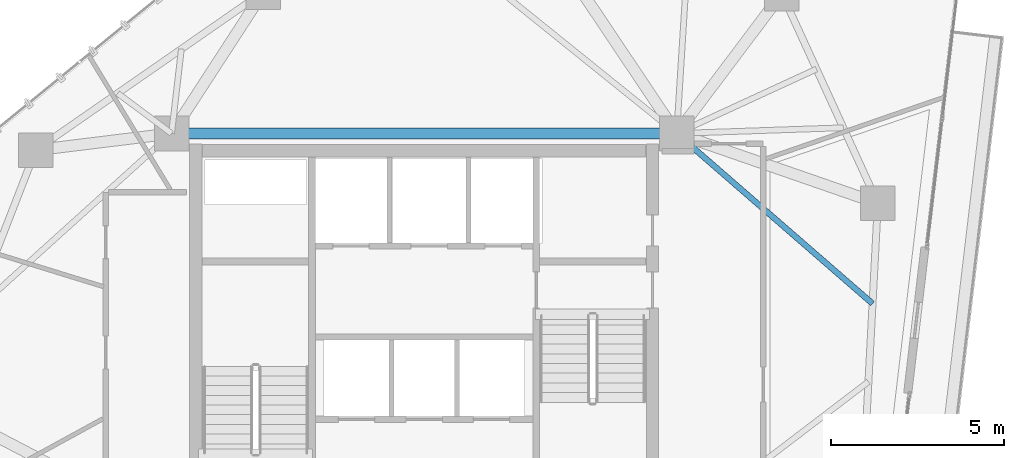
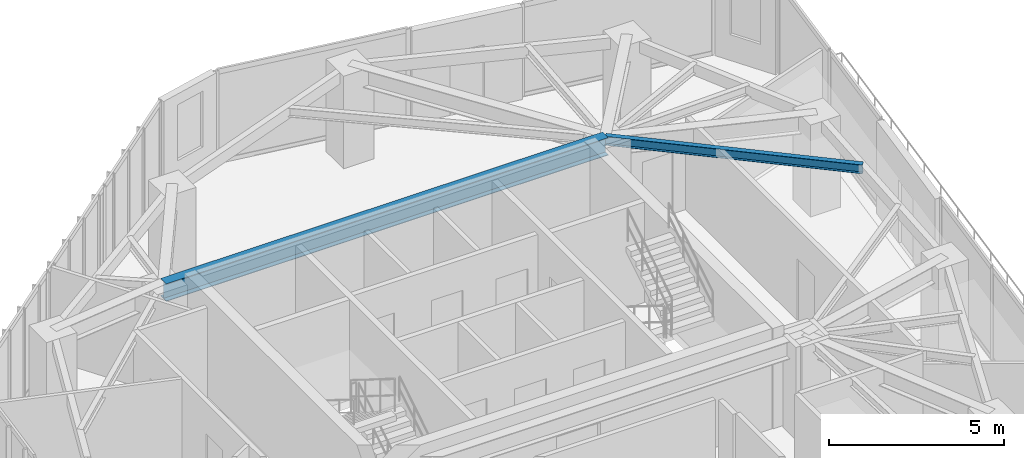
# One storey, part 12 of 22: 2 beams.
"""IFC4 building model written with IfcOpenShell, lengths in metres."""

from ifc_helpers import new_model, si_unit, direction, frame, origin, origin_2d, place, context, subcontext, project, spatial, i_section, extrude, material, material_profile, profile_set, type_object, element, save


model = new_model("IFC4")

# Units and contexts
model_context = context("Model", 3, precision=1e-05, world=origin(), true_north=direction((0.0, 1.0)))
body_context = subcontext(model_context, "Body", "Model", "MODEL_VIEW")
ifc_project = project(units=[si_unit("LENGTHUNIT", "METRE"), si_unit("AREAUNIT", "SQUARE_METRE"), si_unit("VOLUMEUNIT", "CUBIC_METRE"), si_unit("PLANEANGLEUNIT", "RADIAN"), si_unit("MASSUNIT", "GRAM", prefix="KILO")], contexts=[model_context])

# Site, building, storey
site_placement = place(None, origin())
site = spatial("IfcSite", under=ifc_project, at=site_placement, CompositionType="ELEMENT")
building_placement = place(site_placement, origin())
building = spatial("IfcBuilding", under=site, at=building_placement, Name="Talar Marvaseh", CompositionType="ELEMENT")
storey_placement = place(building_placement, frame((0.0, 0.0, 229.199951171875)))
storey = spatial("IfcBuildingStorey", under=building, at=storey_placement, Name="L60", CompositionType="ELEMENT", Elevation=229.199951171875)

# Beams
ifc_material = material(Name="Steel S355", Category="steel")
ifc_material_profile_1 = material_profile(ifc_material, i_section(OverallWidth=0.324951171875, OverallDepth=0.615966796875, WebThickness=0.013916015625, FlangeThickness=0.021484375, at=origin_2d()), Name="W610x174")
ifc_profile_set_1 = profile_set([ifc_material_profile_1], Name="Steel S355")
beam_type_1 = type_object("IfcBeamType", Name="Zone 3 Radial Floor Girder W610x174", PredefinedType="BEAM", material=ifc_profile_set_1)
beam_1_placement = place(storey_placement, frame((18.699951171875, 36.89990234375, 2.922119140625), z_axis=(1.0, 0.0, 0.0), x_axis=(0.0, 1.0, 0.0)))
element("IfcBeam", 1, at=beam_1_placement, inside=storey, type_object=beam_type_1, Name="L60 Zone 3 Radial Floor Girder W610x174", PredefinedType="BEAM", context=body_context, shape_type="SweptSolid", body=[
    extrude(i_section(OverallWidth=0.324951171875, OverallDepth=0.615966796875, WebThickness=0.013916015625, FlangeThickness=0.021484375, at=origin_2d()), origin(), (0.0, 0.0, 1.0), 14.60009765625),
])
ifc_material_profile_2 = material_profile(ifc_material, i_section(OverallWidth=0.166015625, OverallDepth=0.31298828125, WebThickness=0.006591796875, FlangeThickness=0.01123046875, at=origin_2d()), Name="W310x45")
ifc_profile_set_2 = profile_set([ifc_material_profile_2], Name="Steel S355")
beam_type_2 = type_object("IfcBeamType", Name="Zone 3 Secondary Floor Joist W310x45", PredefinedType="JOIST", material=ifc_profile_set_2)
beam_2_placement = place(storey_placement, frame((38.96044921875, 31.982421875, 3.073486328125), z_axis=(-0.754909663958, 0.655828788071, 0.0), x_axis=(-0.655828788071, -0.754909663958, 0.0)))
element("IfcBeam", 2, at=beam_2_placement, inside=storey, type_object=beam_type_2, Name="L60 Zone 3 Secondary Floor Joist W310x45", PredefinedType="JOIST", context=body_context, shape_type="SweptSolid", body=[
    extrude(i_section(OverallWidth=0.166015625, OverallDepth=0.31298828125, WebThickness=0.006591796875, FlangeThickness=0.01123046875, at=origin_2d()), origin(), (0.0, 0.0, 1.0), 7.498046875),
])

save(model, "model.ifc")
